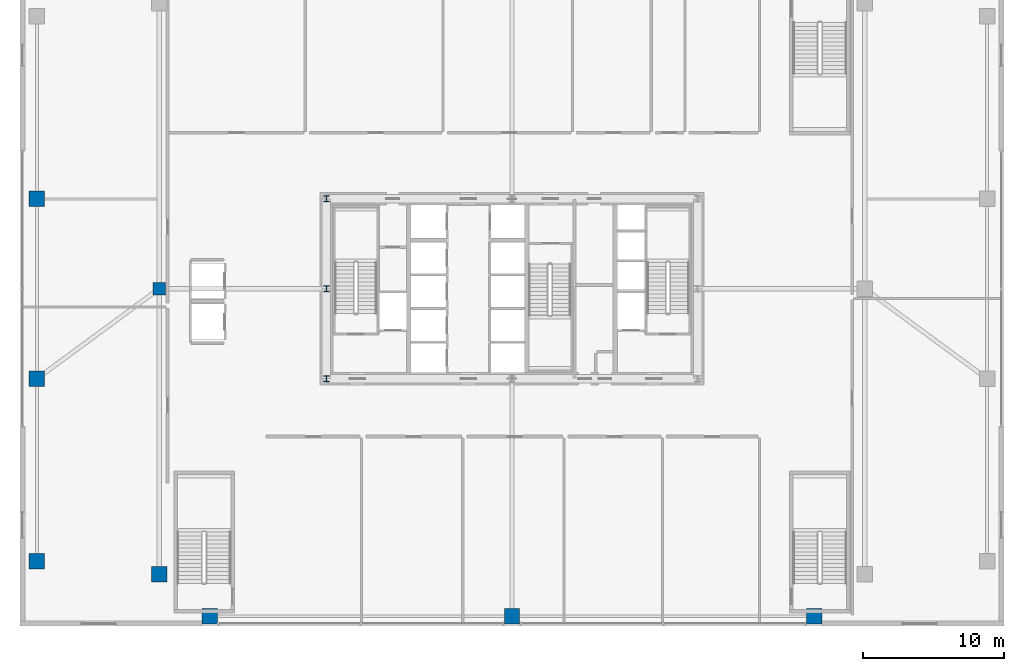
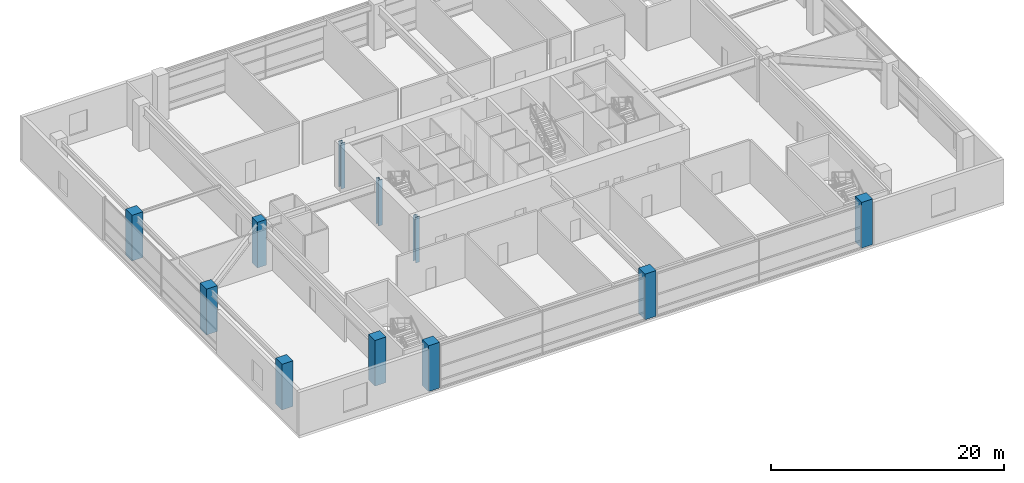
# One storey, part 1 of 39: 11 columns.
"""IFC4 building model written with IfcOpenShell, lengths in metres."""

from ifc_helpers import new_model, si_unit, direction, frame, origin, origin_2d, place, context, subcontext, project, spatial, rectangle, i_section, extrude, source, transform, mapped, material, material_profile, profile_set, type_object, element, save


model = new_model("IFC4")

# Units and contexts
model_context = context("Model", 3, precision=1e-05, world=origin(), true_north=direction((0.0, 1.0)))
body_context = subcontext(model_context, "Body", "Model", "MODEL_VIEW")
ifc_project = project(units=[si_unit("LENGTHUNIT", "METRE"), si_unit("AREAUNIT", "SQUARE_METRE"), si_unit("VOLUMEUNIT", "CUBIC_METRE"), si_unit("PLANEANGLEUNIT", "RADIAN"), si_unit("MASSUNIT", "GRAM", prefix="KILO"), si_unit("THERMODYNAMICTEMPERATUREUNIT", "KELVIN"), si_unit("POWERUNIT", "WATT")], contexts=[model_context])

# Site, building, storey
site_placement = place(None, origin())
site = spatial("IfcSite", under=ifc_project, at=site_placement, CompositionType="ELEMENT")
building_placement = place(site_placement, origin())
building = spatial("IfcBuilding", under=site, at=building_placement, Name="Yuzanri Waterfront Tower", CompositionType="ELEMENT")
storey_placement = place(building_placement, frame((0.0, 0.0, 15.0)))
storey = spatial("IfcBuildingStorey", under=building, at=storey_placement, Name="L04", CompositionType="ELEMENT", Elevation=15.0)

# Columns
ifc_material_1 = material(Name="Steel Q355B", Category="steel")
ifc_material_profile_1 = material_profile(ifc_material_1, i_section(OverallWidth=0.406982421875, OverallDepth=0.427978515625, WebThickness=0.02001953125, FlangeThickness=0.034912109375, at=origin_2d()), Name="HW 428x407x20x35")
ifc_profile_set_1 = profile_set([ifc_material_profile_1], Name="Steel Q355B")
column_type_1 = type_object("IfcColumnType", Name="Core Post Q355B HW 428x407x20x35", PredefinedType="COLUMN", material=ifc_profile_set_1)
shared_shape_1 = source(origin(), body_context, "Body", "SweptSolid", [
    extrude(i_section(OverallWidth=0.406982421875, OverallDepth=0.427978515625, WebThickness=0.02001953125, FlangeThickness=0.034912109375, at=origin_2d()), origin(), (0.0, 0.0, 1.0), 4.800048828125),
])
for number, where, z_axis, x_axis, name in (
    (1, (23.800048828125, 19.39990234375, 0.0), (0.0, 0.0, 1.0), (1.0, 0.0, 0.0), "L04 Core Boundary Column CP1"),
    (2, (23.800048828125, 25.800048828125, 0.0), (0.0, 0.0, 1.0), (1.0, 0.0, 0.0), "L04 Core Boundary Column CP4"),
    (3, (23.800048828125, 32.199951171875, 0.0), (0.0, 0.0, 1.0), (1.0, 0.0, 0.0), "L04 Core Boundary Column CP6"),
):
    element("IfcColumn", number, at=place(storey_placement, frame(where, z_axis=z_axis, x_axis=x_axis)), inside=storey, type_object=column_type_1, Name=name, PredefinedType="COLUMN", context=body_context, shape_type="MappedRepresentation", body=[
        mapped(shared_shape_1, transform((0.0, 0.0, 0.0), scale=1.0)),
    ])
ifc_material_2 = material(Name="Concrete C50", Category="concrete")
ifc_material_profile_2 = material_profile(ifc_material_2, rectangle(XDim=1.10009765625, YDim=1.10009765625, at=origin_2d()), Name="RC 1100x1100")
ifc_profile_set_2 = profile_set([ifc_material_profile_2], Name="Concrete C50")
column_type_2 = type_object("IfcColumnType", Name="Podium RC Column C50 1100x1100", PredefinedType="COLUMN", material=ifc_profile_set_2)
shared_shape_2 = source(origin(), body_context, "Body", "SweptSolid", [
    extrude(rectangle(XDim=1.10009765625, YDim=1.10009765625, at=origin_2d()), origin(), (0.0, 0.0, 1.0), 4.800048828125),
])
for number, where, z_axis, x_axis, name in (
    (4, (3.199951171875, 6.39990234375, 0.0), (0.0, 0.0, 1.0), (1.0, 0.0, 0.0), "L04 Podium Column PW1"),
    (5, (3.199951171875, 19.39990234375, 0.0), (0.0, 0.0, 1.0), (1.0, 0.0, 0.0), "L04 Podium Column PW2"),
    (6, (3.199951171875, 32.199951171875, 0.0), (0.0, 0.0, 1.0), (1.0, 0.0, 0.0), "L04 Podium Column PW3"),
    (7, (11.89990234375, 5.5, 0.0), (0.0, 0.0, 1.0), (1.0, 0.0, 0.0), "L04 Podium Column PTW1"),
    (8, (15.5, 2.5, 0.0), (0.0, 0.0, 1.0), (1.0, 0.0, 0.0), "L04 Podium Column PTS1"),
    (9, (37.0, 2.5, 0.0), (0.0, 0.0, 1.0), (1.0, 0.0, 0.0), "L04 Podium Column PTS2"),
    (10, (58.5, 2.5, 0.0), (0.0, 0.0, 1.0), (1.0, 0.0, 0.0), "L04 Podium Column PTS3"),
):
    element("IfcColumn", number, at=place(storey_placement, frame(where, z_axis=z_axis, x_axis=x_axis)), inside=storey, type_object=column_type_2, Name=name, PredefinedType="COLUMN", context=body_context, shape_type="MappedRepresentation", body=[
        mapped(shared_shape_2, transform((0.0, 0.0, 0.0), scale=1.0)),
    ])
ifc_material_3 = material(Name="Concrete C50", Category="concrete")
ifc_material_profile_3 = material_profile(ifc_material_3, rectangle(XDim=0.89990234375, YDim=0.89990234375, at=origin_2d()), Name="RC 900x900")
ifc_profile_set_3 = profile_set([ifc_material_profile_3], Name="Concrete C50")
column_type_3 = type_object("IfcColumnType", Name="Basement RC Column C50 900x900", PredefinedType="COLUMN", material=ifc_profile_set_3)
shared_shape_3 = source(origin(), body_context, "Body", "SweptSolid", [
    extrude(rectangle(XDim=0.89990234375, YDim=0.89990234375, at=origin_2d()), origin(), (0.0, 0.0, 1.0), 4.800048828125),
])
column_placement = place(storey_placement, frame((11.89990234375, 25.800048828125, 0.0), z_axis=(0.0, 0.0, 1.0), x_axis=(1.0, 0.0, 0.0)))
element("IfcColumn", 11, at=column_placement, inside=storey, type_object=column_type_3, Name="L04 Podium Ballroom-Under Column PTW2", PredefinedType="COLUMN", context=body_context, shape_type="MappedRepresentation", body=[
    mapped(shared_shape_3, transform((0.0, 0.0, 0.0), scale=1.0)),
])

save(model, "model.ifc")
